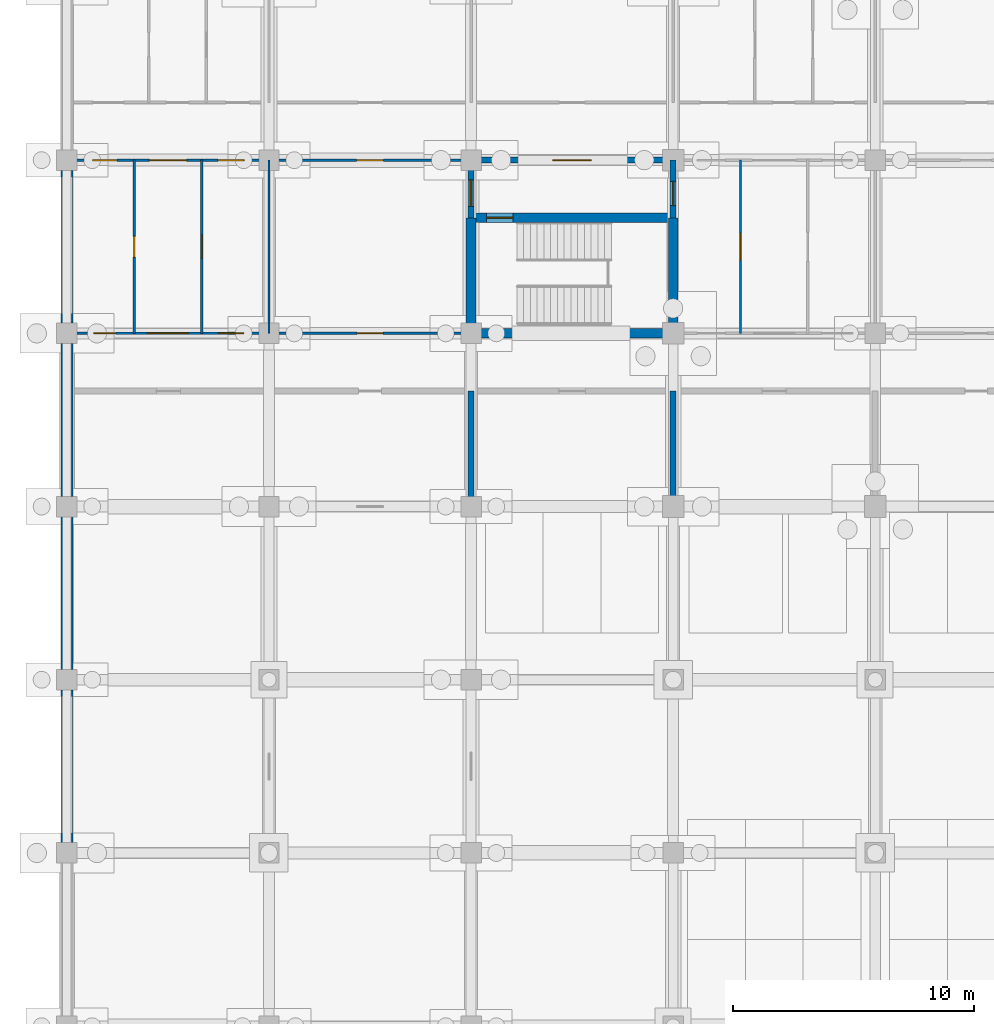
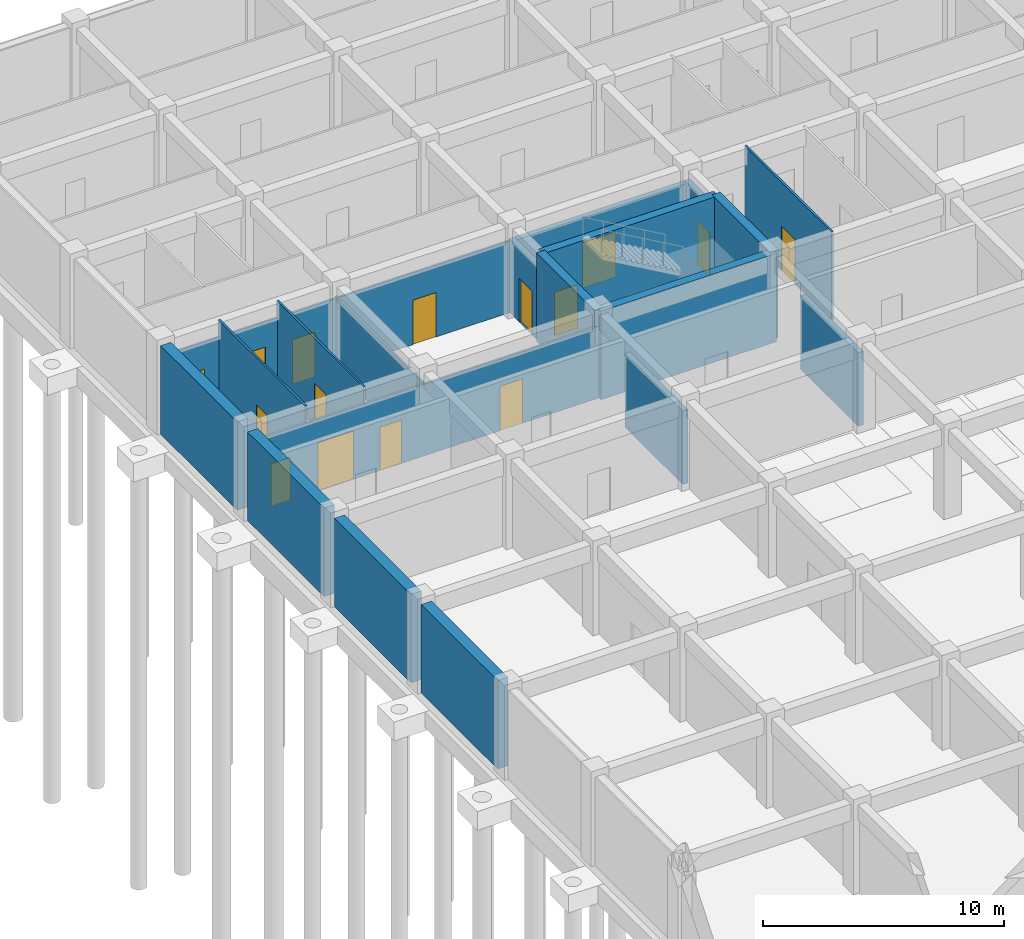
# One storey, part 31 of 85: 19 walls, 15 doors, 15 openings.
"""IFC4 building model written with IfcOpenShell, lengths in metres."""

from ifc_helpers import new_model, si_unit, direction, frame, frame_2d, origin, place, context, subcontext, project, spatial, rectangle, extrude, material, layer, layer_set, type_object, element, fill, save


model = new_model("IFC4")

# Units and contexts
model_context = context("Model", 3, precision=1e-05, world=origin(), true_north=direction((0.0, 1.0)))
body_context = subcontext(model_context, "Body", "Model", "MODEL_VIEW")
ifc_project = project(units=[si_unit("LENGTHUNIT", "METRE"), si_unit("AREAUNIT", "SQUARE_METRE"), si_unit("VOLUMEUNIT", "CUBIC_METRE"), si_unit("PLANEANGLEUNIT", "RADIAN"), si_unit("MASSUNIT", "GRAM", prefix="KILO")], contexts=[model_context])

# Site, building, storey
site_placement = place(None, origin())
site = spatial("IfcSite", under=ifc_project, at=site_placement, CompositionType="ELEMENT")
building_placement = place(site_placement, origin())
building = spatial("IfcBuilding", under=site, at=building_placement, Name="Chengyuan Square Courthouse", CompositionType="ELEMENT")
storey_placement = place(building_placement, frame((0.0, 0.0, -10.199951171875)))
storey = spatial("IfcBuildingStorey", under=building, at=storey_placement, Name="B02", CompositionType="ELEMENT", Elevation=-10.199951171875)

# Wall, opening, door
ifc_material_1 = material(Name="Concrete C40", Category="concrete")
ifc_layer_1 = layer(ifc_material_1, 0.25)
ifc_layer_set_1 = layer_set([ifc_layer_1], Name="Concrete C40")
wall_type_1 = type_object("IfcWallType", Name="WL-FW1", PredefinedType="STANDARD", material=ifc_layer_set_1)
wall_1_placement = place(storey_placement, frame((16.800048828125, 93.60009765625, 0.0), z_axis=(0.0, 0.0, 1.0), x_axis=(1.0, 0.0, 0.0)))
wall_1 = element("IfcWall", 1, at=wall_1_placement, inside=storey, type_object=wall_type_1, Name="Interior Wall WL-B02-I050", PredefinedType="STANDARD", context=body_context, shape_type="SweptSolid", body=[
    extrude(rectangle(XDim=8.39990234375, YDim=0.25, at=frame_2d((4.199951171875, 0.0))), origin(), (0.0, 0.0, 1.0), 3.6298828125),
])
opening_1_placement = place(wall_1_placement, frame((3.387451171875, 0.0, 0.0)))
opening_1 = element("IfcOpeningElement", 2, at=opening_1_placement, cuts=wall_1, Name="Opening DR-045", PredefinedType="OPENING", context=body_context, shape_type="SweptSolid", body=[
    extrude(rectangle(XDim=1.60009765625, YDim=2.300048828125, at=frame_2d((0.800048828125, 1.14990234375))), frame((0.0, 0.136962890625, 0.0), z_axis=(0.0, -1.0, 0.0), x_axis=(1.0, 0.0, 0.0)), (0.0, 0.0, 1.0), 0.27392578125),
])
ifc_material_2 = material(Name="Steel Q235B Glazed Fire Door", Category="steel")
door_type_1 = type_object("IfcDoorType", Name="DT-17", OperationType="DOUBLE_DOOR_SINGLE_SWING", PredefinedType="DOOR", material=ifc_material_2)
door_1_placement = place(opening_1_placement, frame((1.60009765625, 0.0, 0.0), z_axis=(0.0, 0.0, 1.0), x_axis=(-1.0, 0.0, 0.0)))
door_1 = element("IfcDoor", 3, at=door_1_placement, inside=storey, type_object=door_type_1, Name="Interior Door DR-045", OperationType="DOUBLE_DOOR_SINGLE_SWING", OverallHeight=2.300048828125, OverallWidth=1.60009765625, PredefinedType="DOOR", context=body_context, shape_type="SweptSolid", body=[
    extrude(rectangle(XDim=1.60009765625, YDim=2.300048828125, at=frame_2d((0.800048828125, 1.14990234375))), frame((0.0, 0.02490234375, 0.0), z_axis=(0.0, -1.0, 0.0), x_axis=(1.0, 0.0, 0.0)), (0.0, 0.0, 1.0), 0.050048828125),
])
fill(opening_1, door_1)

# Wall
wall_2_placement = place(storey_placement, frame((16.800048828125, 79.199951171875, 0.0), z_axis=(0.0, 0.0, 1.0), x_axis=(0.0, 1.0, 0.0)))
element("IfcWall", 4, at=wall_2_placement, inside=storey, type_object=wall_type_1, Name="Interior Wall WL-B02-I125", PredefinedType="STANDARD", context=body_context, shape_type="SweptSolid", body=[
    extrude(rectangle(XDim=4.800048828125, YDim=0.25, at=frame_2d((2.39990234375, 0.0))), origin(), (0.0, 0.0, 1.0), 3.72998046875),
])

# Wall, opening, door
wall_3_placement = place(storey_placement, frame((16.800048828125, 91.199951171875, 0.0), z_axis=(0.0, 0.0, 1.0), x_axis=(0.0, 1.0, 0.0)))
wall_3 = element("IfcWall", 5, at=wall_3_placement, inside=storey, type_object=wall_type_1, Name="Interior Wall WL-B02-I127", PredefinedType="STANDARD", context=body_context, shape_type="SweptSolid", body=[
    extrude(rectangle(XDim=2.400146484375, YDim=0.25, at=frame_2d((1.2001953125, 0.0))), origin(), (0.0, 0.0, 1.0), 3.72998046875),
])
opening_2_placement = place(wall_3_placement, frame((0.4775390625, 0.0, 0.0)))
opening_2 = element("IfcOpeningElement", 6, at=opening_2_placement, cuts=wall_3, Name="Opening DR-046", PredefinedType="OPENING", context=body_context, shape_type="SweptSolid", body=[
    extrude(rectangle(XDim=1.10009765625, YDim=2.199951171875, at=frame_2d((0.550048828125, 1.10009765625))), frame((0.0, 0.136962890625, 0.0), z_axis=(0.0, -1.0, 0.0), x_axis=(1.0, 0.0, 0.0)), (0.0, 0.0, 1.0), 0.27392578125),
])
ifc_material_3 = material(Name="Steel Q235B Fire Door", Category="steel")
door_type_2 = type_object("IfcDoorType", Name="DT-10", OperationType="NOTDEFINED", PredefinedType="DOOR", material=ifc_material_3)
door_2_placement = place(opening_2_placement, origin())
door_2 = element("IfcDoor", 7, at=door_2_placement, inside=storey, type_object=door_type_2, Name="Interior Door DR-046", OperationType="SINGLE_SWING_LEFT", OverallHeight=2.199951171875, OverallWidth=1.10009765625, PredefinedType="DOOR", context=body_context, shape_type="SweptSolid", body=[
    extrude(rectangle(XDim=1.10009765625, YDim=2.199951171875, at=frame_2d((0.550048828125, 1.10009765625))), frame((0.0, 0.02490234375, 0.0), z_axis=(0.0, -1.0, 0.0), x_axis=(1.0, 0.0, 0.0)), (0.0, 0.0, 1.0), 0.050048828125),
])
fill(opening_2, door_2)

# Wall
wall_4_placement = place(storey_placement, frame((25.199951171875, 79.199951171875, 0.0), z_axis=(0.0, 0.0, 1.0), x_axis=(0.0, 1.0, 0.0)))
element("IfcWall", 8, at=wall_4_placement, inside=storey, type_object=wall_type_1, Name="Interior Wall WL-B02-I131", PredefinedType="STANDARD", context=body_context, shape_type="SweptSolid", body=[
    extrude(rectangle(XDim=4.800048828125, YDim=0.25, at=frame_2d((2.39990234375, 0.0))), origin(), (0.0, 0.0, 1.0), 3.72998046875),
])

# Wall, opening, door
wall_5_placement = place(storey_placement, frame((25.199951171875, 91.199951171875, 0.0), z_axis=(0.0, 0.0, 1.0), x_axis=(0.0, 1.0, 0.0)))
wall_5 = element("IfcWall", 9, at=wall_5_placement, inside=storey, type_object=wall_type_1, Name="Interior Wall WL-B02-I133", PredefinedType="STANDARD", context=body_context, shape_type="SweptSolid", body=[
    extrude(rectangle(XDim=2.400146484375, YDim=0.25, at=frame_2d((1.2001953125, 0.0))), origin(), (0.0, 0.0, 1.0), 3.72998046875),
])
opening_3_placement = place(wall_5_placement, frame((0.514892578125, 0.0, 0.0)))
opening_3 = element("IfcOpeningElement", 10, at=opening_3_placement, cuts=wall_5, Name="Opening DR-047", PredefinedType="OPENING", context=body_context, shape_type="SweptSolid", body=[
    extrude(rectangle(XDim=1.0, YDim=2.199951171875, at=frame_2d((0.5, 1.10009765625))), frame((0.0, 0.136962890625, 0.0), z_axis=(0.0, -1.0, 0.0), x_axis=(1.0, 0.0, 0.0)), (0.0, 0.0, 1.0), 0.27392578125),
])
door_type_3 = type_object("IfcDoorType", Name="DT-11", OperationType="NOTDEFINED", PredefinedType="DOOR", material=ifc_material_3)
door_3_placement = place(opening_3_placement, origin())
door_3 = element("IfcDoor", 11, at=door_3_placement, inside=storey, type_object=door_type_3, Name="Interior Door DR-047", OperationType="SINGLE_SWING_RIGHT", OverallHeight=2.199951171875, OverallWidth=1.0, PredefinedType="DOOR", context=body_context, shape_type="SweptSolid", body=[
    extrude(rectangle(XDim=1.0, YDim=2.199951171875, at=frame_2d((0.5, 1.10009765625))), frame((0.0, 0.02490234375, 0.0), z_axis=(0.0, -1.0, 0.0), x_axis=(1.0, 0.0, 0.0)), (0.0, 0.0, 1.0), 0.050048828125),
])
fill(opening_3, door_3)

# Wall, openings, doors
ifc_material_4 = material(Name="Gypsum Plasterboard Acoustic Stud Partition")
ifc_layer_2 = layer(ifc_material_4, 0.10009765625)
ifc_layer_set_2 = layer_set([ifc_layer_2], Name="Gypsum Plasterboard Acoustic Stud Partition")
wall_type_2 = type_object("IfcWallType", Name="WL-PT6", PredefinedType="STANDARD", material=ifc_layer_set_2)
wall_6_placement = place(storey_placement, frame((0.0400390625, 86.39990234375, 0.0), z_axis=(0.0, 0.0, 1.0), x_axis=(1.0, 0.0, 0.0)))
wall_6 = element("IfcWall", 12, at=wall_6_placement, inside=storey, type_object=wall_type_2, Name="Interior Wall WL-B02-I027", PredefinedType="STANDARD", context=body_context, shape_type="SweptSolid", body=[
    extrude(rectangle(XDim=16.760009765625, YDim=0.10009765625, at=frame_2d((8.3798828125, 0.0))), origin(), (0.0, 0.0, 1.0), 3.6298828125),
])
opening_4_placement = place(wall_6_placement, frame((1.072509765625, 0.0, 0.0)))
opening_4 = element("IfcOpeningElement", 13, at=opening_4_placement, cuts=wall_6, Name="Opening DR-224", PredefinedType="OPENING", context=body_context, shape_type="SweptSolid", body=[
    extrude(rectangle(XDim=0.919921875, YDim=2.14990234375, at=frame_2d((0.4599609375, 1.074951171875))), frame((0.0, 0.06201171875, 0.0), z_axis=(0.0, -1.0, 0.0), x_axis=(1.0, 0.0, 0.0)), (0.0, 0.0, 1.0), 0.1240234375),
])
opening_5_placement = place(wall_6_placement, frame((3.31005859375, 0.0, 0.0)))
opening_5 = element("IfcOpeningElement", 14, at=opening_5_placement, cuts=wall_6, Name="Opening DR-226", PredefinedType="OPENING", context=body_context, shape_type="SweptSolid", body=[
    extrude(rectangle(XDim=1.699951171875, YDim=2.449951171875, at=frame_2d((0.85009765625, 1.22509765625))), frame((0.0, 0.06201171875, 0.0), z_axis=(0.0, -1.0, 0.0), x_axis=(1.0, 0.0, 0.0)), (0.0, 0.0, 1.0), 0.1240234375),
])
opening_6_placement = place(wall_6_placement, frame((6.267578125, 0.0, 0.0)))
opening_6 = element("IfcOpeningElement", 15, at=opening_6_placement, cuts=wall_6, Name="Opening DR-227", PredefinedType="OPENING", context=body_context, shape_type="SweptSolid", body=[
    extrude(rectangle(XDim=1.0400390625, YDim=2.199951171875, at=frame_2d((0.52001953125, 1.10009765625))), frame((0.0, 0.06201171875, 0.0), z_axis=(0.0, -1.0, 0.0), x_axis=(1.0, 0.0, 0.0)), (0.0, 0.0, 1.0), 0.1240234375),
])
opening_7_placement = place(wall_6_placement, frame((12.02001953125, 0.0, 0.0)))
opening_7 = element("IfcOpeningElement", 16, at=opening_7_placement, cuts=wall_6, Name="Opening DR-228", PredefinedType="OPENING", context=body_context, shape_type="SweptSolid", body=[
    extrude(rectangle(XDim=1.080078125, YDim=2.25, at=frame_2d((0.5400390625, 1.125))), frame((0.0, 0.06201171875, 0.0), z_axis=(0.0, -1.0, 0.0), x_axis=(1.0, 0.0, 0.0)), (0.0, 0.0, 1.0), 0.1240234375),
])
ifc_material_5 = material(Name="Acoustic Larch Veneer Double Door")
door_type_4 = type_object("IfcDoorType", Name="DT-24", OperationType="DOUBLE_DOOR_SINGLE_SWING", PredefinedType="DOOR", material=ifc_material_5)
door_4_placement = place(opening_5_placement, frame((1.699951171875, 0.0, 0.0), z_axis=(0.0, 0.0, 1.0), x_axis=(-1.0, 0.0, 0.0)))
door_4 = element("IfcDoor", 17, at=door_4_placement, inside=storey, type_object=door_type_4, Name="Interior Door DR-226", OperationType="DOUBLE_DOOR_SINGLE_SWING", OverallHeight=2.449951171875, OverallWidth=1.699951171875, PredefinedType="DOOR", context=body_context, shape_type="SweptSolid", body=[
    extrude(rectangle(XDim=1.699951171875, YDim=2.449951171875, at=frame_2d((0.85009765625, 1.22509765625))), frame((0.0, 0.02490234375, 0.0), z_axis=(0.0, -1.0, 0.0), x_axis=(1.0, 0.0, 0.0)), (0.0, 0.0, 1.0), 0.050048828125),
])
fill(opening_5, door_4)
ifc_material_6 = material(Name="Acoustic Solid-Core Timber Door", Category="wood")
door_type_5 = type_object("IfcDoorType", Name="DT-29", OperationType="NOTDEFINED", PredefinedType="DOOR", material=ifc_material_6)
door_5_placement = place(opening_4_placement, origin())
door_5 = element("IfcDoor", 18, at=door_5_placement, inside=storey, type_object=door_type_5, Name="Interior Door DR-224", OperationType="SINGLE_SWING_RIGHT", OverallHeight=2.14990234375, OverallWidth=0.919921875, PredefinedType="DOOR", context=body_context, shape_type="SweptSolid", body=[
    extrude(rectangle(XDim=0.919921875, YDim=2.14990234375, at=frame_2d((0.4599609375, 1.074951171875))), frame((0.0, 0.02490234375, 0.0), z_axis=(0.0, -1.0, 0.0), x_axis=(1.0, 0.0, 0.0)), (0.0, 0.0, 1.0), 0.050048828125),
])
fill(opening_4, door_5)
door_type_6 = type_object("IfcDoorType", Name="DT-32", OperationType="NOTDEFINED", PredefinedType="DOOR", material=ifc_material_6)
door_6_placement = place(opening_6_placement, origin())
door_6 = element("IfcDoor", 19, at=door_6_placement, inside=storey, type_object=door_type_6, Name="Interior Door DR-227", OperationType="SINGLE_SWING_RIGHT", OverallHeight=2.199951171875, OverallWidth=1.0400390625, PredefinedType="DOOR", context=body_context, shape_type="SweptSolid", body=[
    extrude(rectangle(XDim=1.0400390625, YDim=2.199951171875, at=frame_2d((0.52001953125, 1.10009765625))), frame((0.0, 0.02490234375, 0.0), z_axis=(0.0, -1.0, 0.0), x_axis=(1.0, 0.0, 0.0)), (0.0, 0.0, 1.0), 0.050048828125),
])
fill(opening_6, door_6)
door_type_7 = type_object("IfcDoorType", Name="DT-33", OperationType="NOTDEFINED", PredefinedType="DOOR", material=ifc_material_6)
door_7_placement = place(opening_7_placement, origin())
door_7 = element("IfcDoor", 20, at=door_7_placement, inside=storey, type_object=door_type_7, Name="Interior Door DR-228", OperationType="SINGLE_SWING_LEFT", OverallHeight=2.25, OverallWidth=1.080078125, PredefinedType="DOOR", context=body_context, shape_type="SweptSolid", body=[
    extrude(rectangle(XDim=1.080078125, YDim=2.25, at=frame_2d((0.5400390625, 1.125))), frame((0.0, 0.02490234375, 0.0), z_axis=(0.0, -1.0, 0.0), x_axis=(1.0, 0.0, 0.0)), (0.0, 0.0, 1.0), 0.050048828125),
])
fill(opening_7, door_7)

wall_7_placement = place(storey_placement, frame((0.0400390625, 93.60009765625, 0.0), z_axis=(0.0, 0.0, 1.0), x_axis=(1.0, 0.0, 0.0)))
wall_7 = element("IfcWall", 21, at=wall_7_placement, inside=storey, type_object=wall_type_2, Name="Interior Wall WL-B02-I049", PredefinedType="STANDARD", context=body_context, shape_type="SweptSolid", body=[
    extrude(rectangle(XDim=16.760009765625, YDim=0.10009765625, at=frame_2d((8.3798828125, 0.0))), origin(), (0.0, 0.0, 1.0), 3.6298828125),
])
opening_8_placement = place(wall_7_placement, frame((1.032470703125, 0.0, 0.0)))
opening_8 = element("IfcOpeningElement", 22, at=opening_8_placement, cuts=wall_7, Name="Opening DR-158", PredefinedType="OPENING", context=body_context, shape_type="SweptSolid", body=[
    extrude(rectangle(XDim=1.0, YDim=2.25, at=frame_2d((0.5, 1.125))), frame((0.0, 0.06201171875, 0.0), z_axis=(0.0, -1.0, 0.0), x_axis=(1.0, 0.0, 0.0)), (0.0, 0.0, 1.0), 0.1240234375),
])
opening_9_placement = place(wall_7_placement, frame((3.385009765625, 0.0, 0.0)))
opening_9 = element("IfcOpeningElement", 23, at=opening_9_placement, cuts=wall_7, Name="Opening DR-159", PredefinedType="OPENING", context=body_context, shape_type="SweptSolid", body=[
    extrude(rectangle(XDim=1.550048828125, YDim=2.35009765625, at=frame_2d((0.77490234375, 1.175048828125))), frame((0.0, 0.06201171875, 0.0), z_axis=(0.0, -1.0, 0.0), x_axis=(1.0, 0.0, 0.0)), (0.0, 0.0, 1.0), 0.1240234375),
])
opening_10_placement = place(wall_7_placement, frame((6.24755859375, 0.0, 0.0)))
opening_10 = element("IfcOpeningElement", 24, at=opening_10_placement, cuts=wall_7, Name="Opening DR-160", PredefinedType="OPENING", context=body_context, shape_type="SweptSolid", body=[
    extrude(rectangle(XDim=1.080078125, YDim=2.25, at=frame_2d((0.5400390625, 1.125))), frame((0.0, 0.06201171875, 0.0), z_axis=(0.0, -1.0, 0.0), x_axis=(1.0, 0.0, 0.0)), (0.0, 0.0, 1.0), 0.1240234375),
])
opening_11_placement = place(wall_7_placement, frame((12.0, 0.0, 0.0)))
opening_11 = element("IfcOpeningElement", 25, at=opening_11_placement, cuts=wall_7, Name="Opening DR-161", PredefinedType="OPENING", context=body_context, shape_type="SweptSolid", body=[
    extrude(rectangle(XDim=1.1201171875, YDim=2.25, at=frame_2d((0.56005859375, 1.125))), frame((0.0, 0.06201171875, 0.0), z_axis=(0.0, -1.0, 0.0), x_axis=(1.0, 0.0, 0.0)), (0.0, 0.0, 1.0), 0.1240234375),
])
door_type_8 = type_object("IfcDoorType", Name="DT-23", OperationType="DOUBLE_DOOR_SINGLE_SWING", PredefinedType="DOOR", material=ifc_material_5)
door_8_placement = place(opening_9_placement, frame((1.550048828125, 0.0, 0.0), z_axis=(0.0, 0.0, 1.0), x_axis=(-1.0, 0.0, 0.0)))
door_8 = element("IfcDoor", 26, at=door_8_placement, inside=storey, type_object=door_type_8, Name="Interior Door DR-159", OperationType="DOUBLE_DOOR_SINGLE_SWING", OverallHeight=2.35009765625, OverallWidth=1.550048828125, PredefinedType="DOOR", context=body_context, shape_type="SweptSolid", body=[
    extrude(rectangle(XDim=1.550048828125, YDim=2.35009765625, at=frame_2d((0.77490234375, 1.175048828125))), frame((0.0, 0.02490234375, 0.0), z_axis=(0.0, -1.0, 0.0), x_axis=(1.0, 0.0, 0.0)), (0.0, 0.0, 1.0), 0.050048828125),
])
fill(opening_9, door_8)
door_type_9 = type_object("IfcDoorType", Name="DT-31", OperationType="NOTDEFINED", PredefinedType="DOOR", material=ifc_material_6)
door_9_placement = place(opening_8_placement, origin())
door_9 = element("IfcDoor", 27, at=door_9_placement, inside=storey, type_object=door_type_9, Name="Interior Door DR-158", OperationType="SINGLE_SWING_LEFT", OverallHeight=2.25, OverallWidth=1.0, PredefinedType="DOOR", context=body_context, shape_type="SweptSolid", body=[
    extrude(rectangle(XDim=1.0, YDim=2.25, at=frame_2d((0.5, 1.125))), frame((0.0, 0.02490234375, 0.0), z_axis=(0.0, -1.0, 0.0), x_axis=(1.0, 0.0, 0.0)), (0.0, 0.0, 1.0), 0.050048828125),
])
fill(opening_8, door_9)
door_10_placement = place(opening_10_placement, origin())
door_10 = element("IfcDoor", 28, at=door_10_placement, inside=storey, type_object=door_type_7, Name="Interior Door DR-160", OperationType="SINGLE_SWING_RIGHT", OverallHeight=2.25, OverallWidth=1.080078125, PredefinedType="DOOR", context=body_context, shape_type="SweptSolid", body=[
    extrude(rectangle(XDim=1.080078125, YDim=2.25, at=frame_2d((0.5400390625, 1.125))), frame((0.0, 0.02490234375, 0.0), z_axis=(0.0, -1.0, 0.0), x_axis=(1.0, 0.0, 0.0)), (0.0, 0.0, 1.0), 0.050048828125),
])
fill(opening_10, door_10)
door_type_10 = type_object("IfcDoorType", Name="DT-34", OperationType="NOTDEFINED", PredefinedType="DOOR", material=ifc_material_6)
door_11_placement = place(opening_11_placement, origin())
door_11 = element("IfcDoor", 29, at=door_11_placement, inside=storey, type_object=door_type_10, Name="Interior Door DR-161", OperationType="SINGLE_SWING_LEFT", OverallHeight=2.25, OverallWidth=1.1201171875, PredefinedType="DOOR", context=body_context, shape_type="SweptSolid", body=[
    extrude(rectangle(XDim=1.1201171875, YDim=2.25, at=frame_2d((0.56005859375, 1.125))), frame((0.0, 0.02490234375, 0.0), z_axis=(0.0, -1.0, 0.0), x_axis=(1.0, 0.0, 0.0)), (0.0, 0.0, 1.0), 0.050048828125),
])
fill(opening_11, door_11)

# Wall, opening, door
wall_8_placement = place(storey_placement, frame((2.800048828125, 86.39990234375, 0.0), z_axis=(0.0, 0.0, 1.0), x_axis=(0.0, 1.0, 0.0)))
wall_8 = element("IfcWall", 30, at=wall_8_placement, inside=storey, type_object=wall_type_2, Name="Interior Wall WL-B02-I112", PredefinedType="STANDARD", context=body_context, shape_type="SweptSolid", body=[
    extrude(rectangle(XDim=7.2001953125, YDim=0.10009765625, at=frame_2d((3.60009765625, 0.0))), origin(), (0.0, 0.0, 1.0), 4.47998046875),
])
opening_12_placement = place(wall_8_placement, frame((3.169921875, 0.0, 0.0)))
opening_12 = element("IfcOpeningElement", 31, at=opening_12_placement, cuts=wall_8, Name="Opening DR-223", PredefinedType="OPENING", context=body_context, shape_type="SweptSolid", body=[
    extrude(rectangle(XDim=0.860107421875, YDim=2.10009765625, at=frame_2d((0.43017578125, 1.050048828125))), frame((0.0, 0.06201171875, 0.0), z_axis=(0.0, -1.0, 0.0), x_axis=(1.0, 0.0, 0.0)), (0.0, 0.0, 1.0), 0.1240234375),
])
door_type_11 = type_object("IfcDoorType", Name="DT-28", OperationType="NOTDEFINED", PredefinedType="DOOR", material=ifc_material_6)
door_12_placement = place(opening_12_placement, origin())
door_12 = element("IfcDoor", 32, at=door_12_placement, inside=storey, type_object=door_type_11, Name="Interior Door DR-223", OperationType="SINGLE_SWING_LEFT", OverallHeight=2.10009765625, OverallWidth=0.860107421875, PredefinedType="DOOR", context=body_context, shape_type="SweptSolid", body=[
    extrude(rectangle(XDim=0.860107421875, YDim=2.10009765625, at=frame_2d((0.43017578125, 1.050048828125))), frame((0.0, 0.02490234375, 0.0), z_axis=(0.0, -1.0, 0.0), x_axis=(1.0, 0.0, 0.0)), (0.0, 0.0, 1.0), 0.050048828125),
])
fill(opening_12, door_12)

wall_9_placement = place(storey_placement, frame((5.60009765625, 86.39990234375, 0.0), z_axis=(0.0, 0.0, 1.0), x_axis=(0.0, 1.0, 0.0)))
wall_9 = element("IfcWall", 33, at=wall_9_placement, inside=storey, type_object=wall_type_2, Name="Interior Wall WL-B02-I114", PredefinedType="STANDARD", context=body_context, shape_type="SweptSolid", body=[
    extrude(rectangle(XDim=7.2001953125, YDim=0.10009765625, at=frame_2d((3.60009765625, 0.0))), origin(), (0.0, 0.0, 1.0), 4.47998046875),
])
opening_13_placement = place(wall_9_placement, frame((3.1201171875, 0.0, 0.0)))
opening_13 = element("IfcOpeningElement", 34, at=opening_13_placement, cuts=wall_9, Name="Opening DR-225", PredefinedType="OPENING", context=body_context, shape_type="SweptSolid", body=[
    extrude(rectangle(XDim=0.9599609375, YDim=2.199951171875, at=frame_2d((0.47998046875, 1.10009765625))), frame((0.0, 0.06201171875, 0.0), z_axis=(0.0, -1.0, 0.0), x_axis=(1.0, 0.0, 0.0)), (0.0, 0.0, 1.0), 0.1240234375),
])
door_type_12 = type_object("IfcDoorType", Name="DT-30", OperationType="NOTDEFINED", PredefinedType="DOOR", material=ifc_material_6)
door_13_placement = place(opening_13_placement, origin())
door_13 = element("IfcDoor", 35, at=door_13_placement, inside=storey, type_object=door_type_12, Name="Interior Door DR-225", OperationType="SINGLE_SWING_LEFT", OverallHeight=2.199951171875, OverallWidth=0.9599609375, PredefinedType="DOOR", context=body_context, shape_type="SweptSolid", body=[
    extrude(rectangle(XDim=0.9599609375, YDim=2.199951171875, at=frame_2d((0.47998046875, 1.10009765625))), frame((0.0, 0.02490234375, 0.0), z_axis=(0.0, -1.0, 0.0), x_axis=(1.0, 0.0, 0.0)), (0.0, 0.0, 1.0), 0.050048828125),
])
fill(opening_13, door_13)

# Wall
wall_10_placement = place(storey_placement, frame((8.39990234375, 86.39990234375, 0.0), z_axis=(0.0, 0.0, 1.0), x_axis=(0.0, 1.0, 0.0)))
element("IfcWall", 36, at=wall_10_placement, inside=storey, type_object=wall_type_2, Name="Interior Wall WL-B02-I118", PredefinedType="STANDARD", context=body_context, shape_type="SweptSolid", body=[
    extrude(rectangle(XDim=7.2001953125, YDim=0.10009765625, at=frame_2d((3.60009765625, 0.0))), origin(), (0.0, 0.0, 1.0), 3.72998046875),
])

# Wall, opening, door
wall_11_placement = place(storey_placement, frame((28.0, 86.39990234375, 0.0), z_axis=(0.0, 0.0, 1.0), x_axis=(0.0, 1.0, 0.0)))
wall_11 = element("IfcWall", 37, at=wall_11_placement, inside=storey, type_object=wall_type_2, Name="Interior Wall WL-B02-I137", PredefinedType="STANDARD", context=body_context, shape_type="SweptSolid", body=[
    extrude(rectangle(XDim=7.2001953125, YDim=0.10009765625, at=frame_2d((3.60009765625, 0.0))), origin(), (0.0, 0.0, 1.0), 4.47998046875),
])
opening_14_placement = place(wall_11_placement, frame((3.0400390625, 0.0, 0.0)))
opening_14 = element("IfcOpeningElement", 38, at=opening_14_placement, cuts=wall_11, Name="Opening DR-229", PredefinedType="OPENING", context=body_context, shape_type="SweptSolid", body=[
    extrude(rectangle(XDim=1.1201171875, YDim=2.25, at=frame_2d((0.56005859375, 1.125))), frame((0.0, 0.06201171875, 0.0), z_axis=(0.0, -1.0, 0.0), x_axis=(1.0, 0.0, 0.0)), (0.0, 0.0, 1.0), 0.1240234375),
])
door_14_placement = place(opening_14_placement, origin())
door_14 = element("IfcDoor", 39, at=door_14_placement, inside=storey, type_object=door_type_10, Name="Interior Door DR-229", OperationType="SINGLE_SWING_RIGHT", OverallHeight=2.25, OverallWidth=1.1201171875, PredefinedType="DOOR", context=body_context, shape_type="SweptSolid", body=[
    extrude(rectangle(XDim=1.1201171875, YDim=2.25, at=frame_2d((0.56005859375, 1.125))), frame((0.0, 0.02490234375, 0.0), z_axis=(0.0, -1.0, 0.0), x_axis=(1.0, 0.0, 0.0)), (0.0, 0.0, 1.0), 0.050048828125),
])
fill(opening_14, door_14)

# Walls
ifc_layer_3 = layer(ifc_material_1, 0.5)
ifc_layer_set_3 = layer_set([ifc_layer_3], Name="Concrete C40")
wall_type_3 = type_object("IfcWallType", Name="WL-RW1", PredefinedType="USERDEFINED", material=ifc_layer_set_3)
for number, where, z_axis, x_axis, name in (
    (40, (0.0, 65.219970703125, 0.0), (0.0, 0.0, 1.0), (0.0, 1.0, 0.0), "Basement Retaining Wall WL-B02-E011"),
    (41, (0.0, 72.419921875, 0.0), (0.0, 0.0, 1.0), (0.0, 1.0, 0.0), "Basement Retaining Wall WL-B02-E012"),
):
    element("IfcWall", number, at=place(storey_placement, frame(where, z_axis=z_axis, x_axis=x_axis)), inside=storey, type_object=wall_type_3, Name=name, ObjectType="RETAININGWALL", PredefinedType="USERDEFINED", context=body_context, shape_type="SweptSolid", body=[
        extrude(rectangle(XDim=6.360107421875, YDim=0.5, at=frame_2d((3.18017578125, 0.0))), origin(), (0.0, 0.0, 1.0), 4.47998046875),
    ])
for number, where, z_axis, x_axis, name in (
    (42, (0.0, 79.6201171875, 0.0), (0.0, 0.0, 1.0), (0.0, 1.0, 0.0), "Basement Retaining Wall WL-B02-E013"),
    (43, (0.0, 86.820068359375, 0.0), (0.0, 0.0, 1.0), (0.0, 1.0, 0.0), "Basement Retaining Wall WL-B02-E014"),
):
    element("IfcWall", number, at=place(storey_placement, frame(where, z_axis=z_axis, x_axis=x_axis)), inside=storey, type_object=wall_type_3, Name=name, ObjectType="RETAININGWALL", PredefinedType="USERDEFINED", context=body_context, shape_type="SweptSolid", body=[
        extrude(rectangle(XDim=6.35986328125, YDim=0.5, at=frame_2d((3.179931640625, 0.0))), origin(), (0.0, 0.0, 1.0), 4.47998046875),
    ])
ifc_material_7 = material(Name="Concrete C50", Category="concrete")
ifc_layer_4 = layer(ifc_material_7, 0.39990234375)
ifc_layer_set_4 = layer_set([ifc_layer_4], Name="Concrete C50")
wall_type_4 = type_object("IfcWallType", Name="WL-SW1", PredefinedType="SHEAR", material=ifc_layer_set_4)
wall_12_placement = place(storey_placement, frame((16.800048828125, 86.39990234375, 0.0), z_axis=(0.0, 0.0, 1.0), x_axis=(1.0, 0.0, 0.0)))
element("IfcWall", 44, at=wall_12_placement, inside=storey, type_object=wall_type_4, Name="Interior Wall WL-B02-I028", PredefinedType="SHEAR", context=body_context, shape_type="SweptSolid", body=[
    extrude(rectangle(XDim=8.39990234375, YDim=0.39990234375, at=frame_2d((4.199951171875, 0.0))), origin(), (0.0, 0.0, 1.0), 4.47998046875),
])

# Wall, opening, door
wall_13_placement = place(storey_placement, frame((16.800048828125, 91.199951171875, 0.0), z_axis=(0.0, 0.0, 1.0), x_axis=(1.0, 0.0, 0.0)))
wall_13 = element("IfcWall", 45, at=wall_13_placement, inside=storey, type_object=wall_type_4, Name="Interior Wall WL-B02-I042", PredefinedType="SHEAR", context=body_context, shape_type="SweptSolid", body=[
    extrude(rectangle(XDim=8.39990234375, YDim=0.39990234375, at=frame_2d((4.199951171875, 0.0))), origin(), (0.0, 0.0, 1.0), 4.47998046875),
])
opening_15_placement = place(wall_13_placement, frame((0.64990234375, 0.0, 0.0)))
opening_15 = element("IfcOpeningElement", 46, at=opening_15_placement, cuts=wall_13, Name="Opening DR-019", PredefinedType="OPENING", context=body_context, shape_type="SweptSolid", body=[
    extrude(rectangle(XDim=1.10009765625, YDim=2.199951171875, at=frame_2d((0.550048828125, 1.10009765625))), frame((0.0, 0.2119140625, 0.0), z_axis=(0.0, -1.0, 0.0), x_axis=(1.0, 0.0, 0.0)), (0.0, 0.0, 1.0), 0.423828125),
])
door_15_placement = place(opening_15_placement, frame((1.10009765625, 0.0, 0.0), z_axis=(0.0, 0.0, 1.0), x_axis=(-1.0, 0.0, 0.0)))
door_15 = element("IfcDoor", 47, at=door_15_placement, inside=storey, type_object=door_type_2, Name="Smoke-Proof Stairwell Fire Door ST-9 DR-019", OperationType="SINGLE_SWING_LEFT", OverallHeight=2.199951171875, OverallWidth=1.10009765625, PredefinedType="DOOR", context=body_context, shape_type="SweptSolid", body=[
    extrude(rectangle(XDim=1.10009765625, YDim=2.199951171875, at=frame_2d((0.550048828125, 1.10009765625))), frame((0.0, 0.02490234375, 0.0), z_axis=(0.0, -1.0, 0.0), x_axis=(1.0, 0.0, 0.0)), (0.0, 0.0, 1.0), 0.050048828125),
])
fill(opening_15, door_15)

# Walls
for number, where, z_axis, x_axis, name in (
    (48, (16.800048828125, 86.39990234375, 0.0), (0.0, 0.0, 1.0), (0.0, 1.0, 0.0), "Interior Wall WL-B02-I126"),
    (49, (25.199951171875, 86.39990234375, 0.0), (0.0, 0.0, 1.0), (0.0, 1.0, 0.0), "Interior Wall WL-B02-I132"),
):
    element("IfcWall", number, at=place(storey_placement, frame(where, z_axis=z_axis, x_axis=x_axis)), inside=storey, type_object=wall_type_4, Name=name, PredefinedType="SHEAR", context=body_context, shape_type="SweptSolid", body=[
        extrude(rectangle(XDim=4.800048828125, YDim=0.39990234375, at=frame_2d((2.39990234375, 0.0))), origin(), (0.0, 0.0, 1.0), 4.47998046875),
    ])

save(model, "model.ifc")
